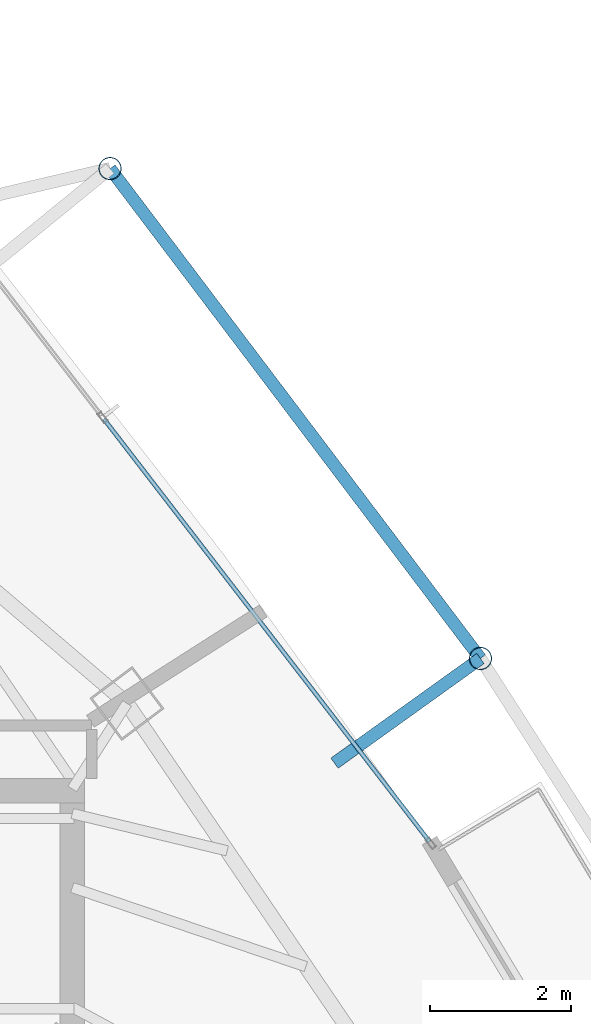
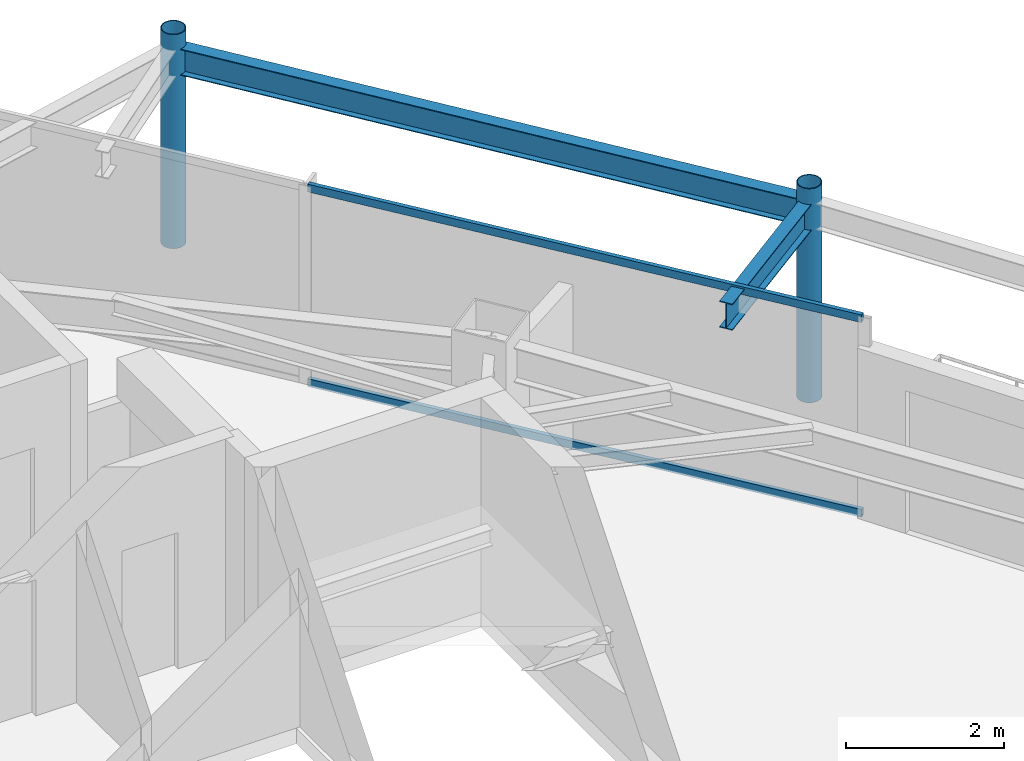
# One storey, part 26 of 33: 4 members, 2 beams, 1 element without a shape of its own.
"""IFC4 building model written with IfcOpenShell, lengths in metres."""

from ifc_helpers import new_model, si_unit, direction, frame, origin, origin_2d, place, context, subcontext, project, spatial, hollow_rectangle, hollow_circle, i_section, extrude, material, layer, layer_set, material_profile, profile_set, type_object, element, aggregate, save


model = new_model("IFC4")

# Units and contexts
model_context = context("Model", 3, precision=1e-05, world=origin(), true_north=direction((0.0, 1.0)))
body_context = subcontext(model_context, "Body", "Model", "MODEL_VIEW")
ifc_project = project(units=[si_unit("LENGTHUNIT", "METRE"), si_unit("AREAUNIT", "SQUARE_METRE"), si_unit("VOLUMEUNIT", "CUBIC_METRE"), si_unit("PLANEANGLEUNIT", "RADIAN"), si_unit("MASSUNIT", "GRAM", prefix="KILO")], contexts=[model_context])

# Site, building, storey
site_placement = place(None, origin())
site = spatial("IfcSite", under=ifc_project, at=site_placement, CompositionType="ELEMENT")
building_placement = place(site_placement, origin())
building = spatial("IfcBuilding", under=site, at=building_placement, Name="Orvanel Arch Residences", CompositionType="ELEMENT")
storey_placement = place(building_placement, frame((0.0, 0.0, 209.60009765625)))
storey = spatial("IfcBuildingStorey", under=building, at=storey_placement, Name="L59", CompositionType="ELEMENT", Elevation=209.60009765625)

# Beams
ifc_material_1 = material(Name="Structural steel AS/NZS 3679.1 Grade 300 (300 MPa)", Category="steel")
ifc_material_profile_1 = material_profile(ifc_material_1, i_section(OverallWidth=0.177978515625, OverallDepth=0.406005859375, WebThickness=0.0078125, FlangeThickness=0.0126953125, at=origin_2d()), Name="410UB59.7")
ifc_profile_set_1 = profile_set([ifc_material_profile_1], Name="Structural steel AS/NZS 3679.1 Grade 300 (300 MPa)")
beam_type = type_object("IfcBeamType", Name="OB-410UB-EXT", PredefinedType="SPANDREL", material=ifc_profile_set_1)
beam_1_placement = place(storey_placement, frame((43.297119140625, 34.264892578125, 2.85693359375), z_axis=(0.812573742569, 0.582858398659, 0.0), x_axis=(-0.582858398659, 0.812573742569, 0.0)))
element("IfcBeam", 1, at=beam_1_placement, inside=storey, type_object=beam_type, Name="L59 Outer Frame Radial Tie Beam 11", PredefinedType="SPANDREL", context=body_context, shape_type="SweptSolid", body=[
    extrude(i_section(OverallWidth=0.177978515625, OverallDepth=0.406005859375, WebThickness=0.0078125, FlangeThickness=0.0126953125, at=origin_2d()), origin(), (0.0, 0.0, 1.0), 2.549560546875),
])
beam_2_placement = place(storey_placement, frame((45.368896484375, 35.7509765625, 2.85693359375), z_axis=(-0.60307871819, 0.797681678156, 0.0), x_axis=(-0.797681678156, -0.60307871819, 0.0)))
element("IfcBeam", 2, at=beam_2_placement, inside=storey, type_object=beam_type, Name="L59 Outer Perimeter Floor Ring Beam 11", PredefinedType="SPANDREL", context=body_context, shape_type="SweptSolid", body=[
    extrude(i_section(OverallWidth=0.177978515625, OverallDepth=0.406005859375, WebThickness=0.0078125, FlangeThickness=0.0126953125, at=origin_2d()), origin(), (0.0, 0.0, 1.0), 8.716552734375),
])

# Members
ifc_material_2 = material(Name="Structural steel AS/NZS 1163 C350L0 (Grade 350)", Category="steel")
ifc_material_profile_2 = material_profile(ifc_material_2, hollow_circle(Radius=0.162109375, WallThickness=0.0126953125, at=origin_2d()), Name="CHS324x12.7")
ifc_profile_set_2 = profile_set([ifc_material_profile_2], Name="Structural steel AS/NZS 1163 C350L0 (Grade 350)")
member_type_1 = type_object("IfcMemberType", Name="ST-324CHS-EXT", PredefinedType="STRUT", material=ifc_profile_set_2)
for number, where, z_axis, x_axis, name in (
    (3, (45.368896484375, 35.7509765625, 0.0), (0.0, 0.0, 1.0), (1.0, 0.0, 0.0), "L59 Outer Perimeter Frame Post 11"),
    (4, (40.112060546875, 42.7041015625, 0.0), (0.0, 0.0, 1.0), (1.0, 0.0, 0.0), "L59 Outer Perimeter Frame Post 12"),
):
    element("IfcMember", number, at=place(storey_placement, frame(where, z_axis=z_axis, x_axis=x_axis)), inside=storey, type_object=member_type_1, Name=name, PredefinedType="STRUT", context=body_context, shape_type="SweptSolid", body=[
        extrude(hollow_circle(Radius=0.162109375, WallThickness=0.0126953125, at=origin_2d()), origin(), (0.0, 0.0, 1.0), 3.2998046875),
    ])

# Curtain wall, members
ifc_material_3 = material(Name="Bronze-anodised aluminium AA6063-T6", Category="aluminium")
ifc_layer = layer(ifc_material_3, 0.175048828125)
ifc_layer_set = layer_set([ifc_layer], Name="Bronze-anodised aluminium AA6063-T6")
curtain_wall_type = type_object("IfcCurtainWallType", Name="CW4-HI-SYS", PredefinedType="NOTDEFINED", material=ifc_layer_set)
curtain_wall_placement = place(storey_placement, origin())
curtain_wall = element("IfcCurtainWall", 5, at=curtain_wall_placement, inside=storey, type_object=curtain_wall_type, Name="L59 CW4-HI-SYS Unitised Curtain Wall", PredefinedType="NOTDEFINED")
ifc_material_profile_3 = material_profile(ifc_material_3, hollow_rectangle(XDim=0.06005859375, YDim=0.1201171875, WallThickness=0.00341796875, at=origin_2d()), Name="ALU120x60x3.5")
ifc_profile_set_3 = profile_set([ifc_material_profile_3], Name="Bronze-anodised aluminium AA6063-T6")
member_type_2 = type_object("IfcMemberType", Name="TRN-120x60", PredefinedType="USERDEFINED", material=ifc_profile_set_3)
member_1_placement = place(storey_placement, frame((44.645263671875, 33.152587890625, 0.02978515625), z_axis=(-0.610326524777, 0.792149943605, 0.0), x_axis=(-0.792149943605, -0.610326524777, 0.0)))
member_1 = element("IfcMember", 6, at=member_1_placement, type_object=member_type_2, Name="CW-S4 transom 1.1", ObjectType="TRANSOM", PredefinedType="USERDEFINED", context=body_context, shape_type="SweptSolid", body=[
    extrude(hollow_rectangle(XDim=0.06005859375, YDim=0.1201171875, WallThickness=0.00341796875, at=origin_2d()), origin(), (0.0, 0.0, 1.0), 7.56640625),
])
member_2_placement = place(storey_placement, frame((44.645263671875, 33.152587890625, 3.02978515625), z_axis=(-0.610326524777, 0.792149943605, 0.0), x_axis=(-0.792149943605, -0.610326524777, 0.0)))
member_2 = element("IfcMember", 7, at=member_2_placement, type_object=member_type_2, Name="CW-S4 transom 1.2", ObjectType="TRANSOM", PredefinedType="USERDEFINED", context=body_context, shape_type="SweptSolid", body=[
    extrude(hollow_rectangle(XDim=0.06005859375, YDim=0.1201171875, WallThickness=0.00341796875, at=origin_2d()), origin(), (0.0, 0.0, 1.0), 7.56640625),
])
aggregate(curtain_wall, [member_1, member_2])

save(model, "model.ifc")
